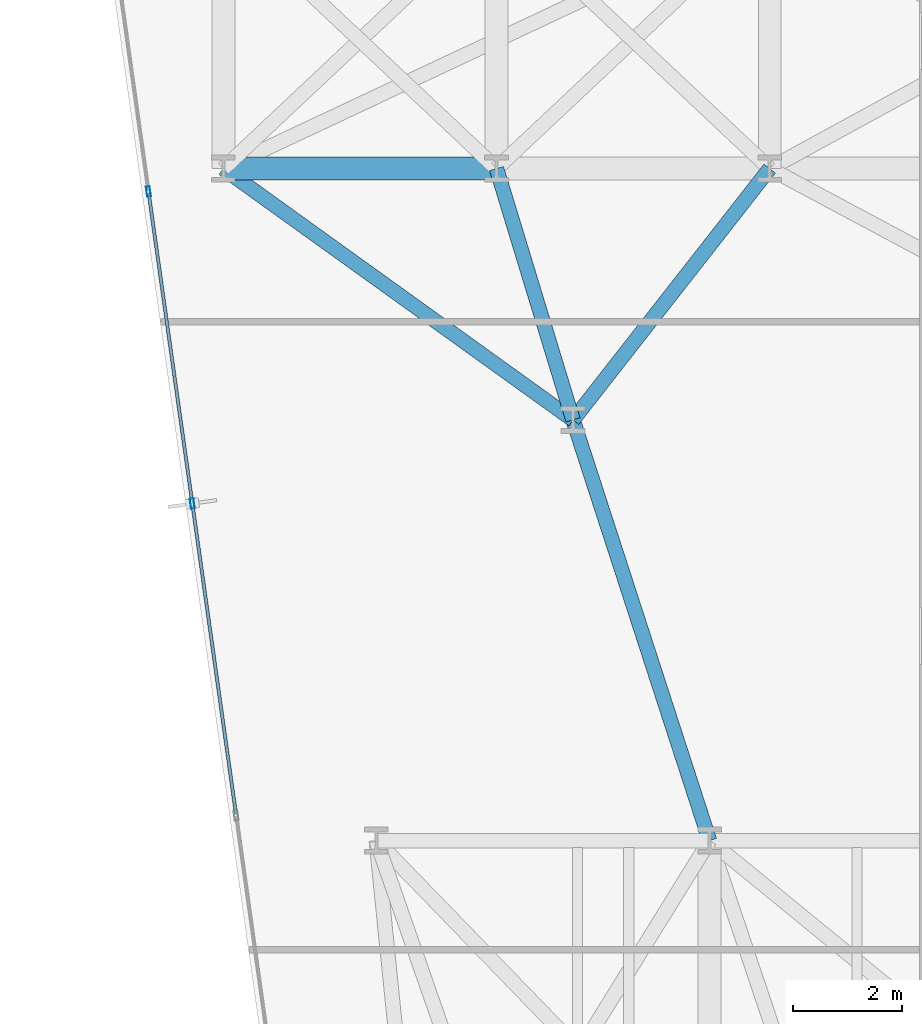
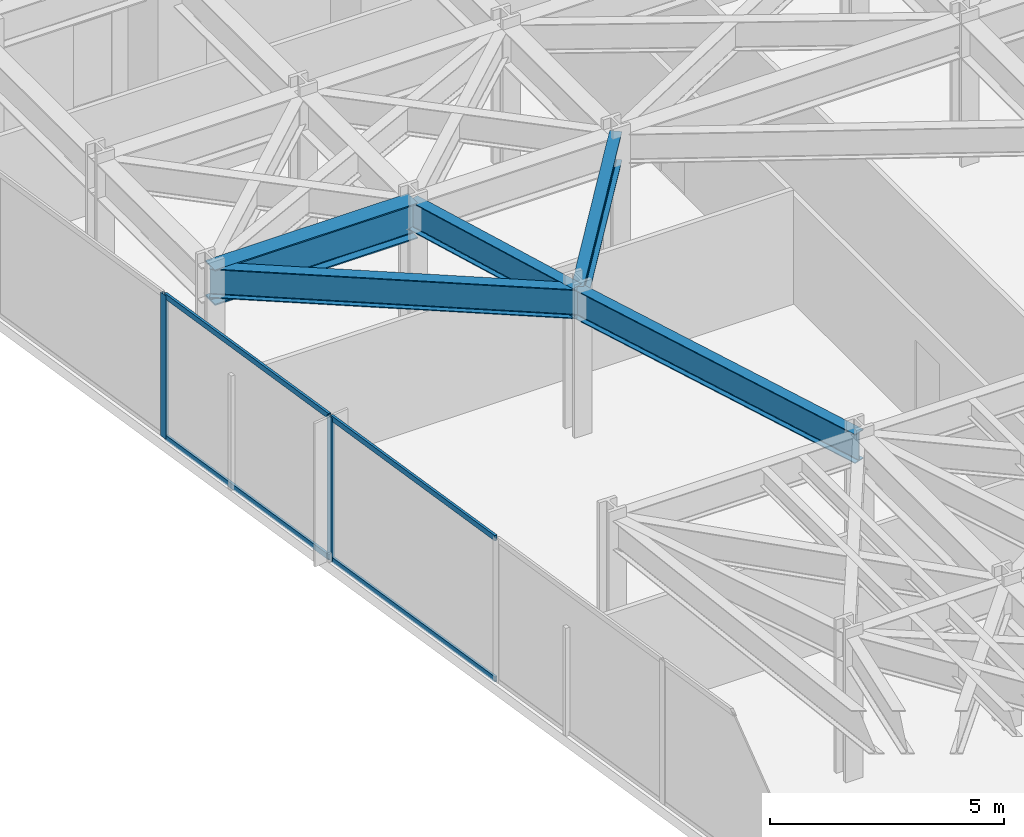
# One storey, part 7 of 25: 6 members, 5 beams, 1 element without a shape of its own.
"""IFC4 building model written with IfcOpenShell, lengths in metres."""

import ifcopenshell
import ifcopenshell.guid

model = None  # the IFC model being written
_history = None  # IfcOwnerHistory: only IFC2X3 demands one
_inside = {}  # id of a spatial element -> (the spatial element, [elements in it])
_under = {}  # id of a project, library or spatial element -> (it, [spatial elements below it])
_declared = {}  # id of a project -> (the project, [libraries it declares])
_typed = {}  # id of a type object -> (the type object, [elements of that type])
_made_of = {}  # id of a material, layer set ... -> (it, [elements and type objects made of it])


def new_model(schema):
    """Start an empty IFC model of exactly this schema.

    Asked for "IFC4X3", IfcOpenShell would pick the latest addendum, in which some entities
    have other attributes; the version numbers below select the first issue.
    IFC2X3 requires an IfcOwnerHistory on every rooted entity: one is made here for all.
    """
    global model, _history
    if schema == "IFC4X3":
        model = ifcopenshell.file(schema_version=(4, 3, 0, 0))
    else:
        model = ifcopenshell.file(schema=schema)
    _inside.clear()
    _under.clear()
    _declared.clear()
    _typed.clear()
    _made_of.clear()
    _history = None
    if model.schema == "IFC2X3":
        org = make("IfcOrganization", Name="unknown")
        user = make(
            "IfcPersonAndOrganization",
            ThePerson=make("IfcPerson", FamilyName="unknown"),
            TheOrganization=org,
        )
        app = make(
            "IfcApplication",
            ApplicationDeveloper=org,
            Version="unknown",
            ApplicationFullName="unknown",
            ApplicationIdentifier="unknown",
        )
        _history = make(
            "IfcOwnerHistory",
            OwningUser=user,
            OwningApplication=app,
            ChangeAction="ADDED",
            CreationDate=0,
        )
    return model


def make(cls, **values):
    """One entity of the class cls with the attributes given. An attribute that is None is left unset."""
    return model.create_entity(
        cls, **{name: value for name, value in values.items() if value is not None}
    )


def rooted(cls, **values):
    """An entity with a GlobalId (a new one), such as an element, a storey or a relation."""
    return make(cls, GlobalId=ifcopenshell.guid.new(), OwnerHistory=_history, **values)


def si_unit(unit_type, name, prefix=None):
    """IfcSIUnit, for example si_unit("LENGTHUNIT", "METRE", prefix="MILLI")."""
    return make("IfcSIUnit", UnitType=unit_type, Prefix=prefix, Name=name)


def assignment(units):
    """IfcUnitAssignment: the units of a project."""
    return None if units is None else make("IfcUnitAssignment", Units=units)


def point(xyz):
    """IfcCartesianPoint."""
    return None if xyz is None else make("IfcCartesianPoint", Coordinates=xyz)


def direction(xyz):
    """IfcDirection."""
    return None if xyz is None else make("IfcDirection", DirectionRatios=xyz)


def frame(location, z_axis=None, x_axis=None):
    """IfcAxis2Placement3D, a coordinate frame: its origin and axes. An axis left out is left unset."""
    return make(
        "IfcAxis2Placement3D",
        Location=point(location),
        Axis=direction(z_axis),
        RefDirection=direction(x_axis),
    )


def frame_2d(location, x_axis=None):
    """IfcAxis2Placement2D, a coordinate frame in the plane: its origin and x axis."""
    return make(
        "IfcAxis2Placement2D", Location=point(location), RefDirection=direction(x_axis)
    )


def origin():
    """The frame at (0, 0, 0) with its axes left unset."""
    return frame((0.0, 0.0, 0.0))


def origin_2d():
    """The frame at (0, 0) in the plane with its x axis left unset."""
    return frame_2d((0.0, 0.0))


def place(relative_to, where):
    """IfcLocalPlacement: puts the frame where relative to a parent placement (None: the world)."""
    return make(
        "IfcLocalPlacement", PlacementRelTo=relative_to, RelativePlacement=where
    )


def context(
    kind, dimensions, precision=None, world=None, true_north=None, identifier=None
):
    """IfcGeometricRepresentationContext, for example the 3D "Model" context."""
    return make(
        "IfcGeometricRepresentationContext",
        ContextIdentifier=identifier,
        ContextType=kind,
        CoordinateSpaceDimension=dimensions,
        Precision=precision,
        WorldCoordinateSystem=world,
        TrueNorth=true_north,
    )


def subcontext(parent, identifier, kind, view, scale=None):
    """IfcGeometricRepresentationSubContext, for example "Body" below "Model"."""
    return make(
        "IfcGeometricRepresentationSubContext",
        ContextIdentifier=identifier,
        ContextType=kind,
        ParentContext=parent,
        TargetScale=scale,
        TargetView=view,
    )


def project(units=None, contexts=None):
    """IfcProject with its units and contexts."""
    return rooted(
        "IfcProject",
        Name="project",
        RepresentationContexts=contexts,
        UnitsInContext=assignment(units),
    )


def spatial(cls, under=None, at=None, **own):
    """A site, building, storey or space (cls), placed at a placement, below another one or the project."""
    s = rooted(cls, ObjectPlacement=at, **own)
    if under is not None:
        _under.setdefault(under.id(), (under, []))[1].append(s)
    return s


def profile(cls, at=None, kind="AREA", **sizes):
    """A parametric profile (cls). Its sizes go by their IFC names, for example OverallWidth=200.0."""
    return make(cls, ProfileType=kind, Position=at, **sizes)


def hollow_rectangle(**sizes):
    """IfcRectangleHollowProfileDef."""
    return profile("IfcRectangleHollowProfileDef", **sizes)


def i_section(**sizes):
    """IfcIShapeProfileDef."""
    return profile("IfcIShapeProfileDef", **sizes)


def extrude(swept, where, along, depth):
    """IfcExtrudedAreaSolid: the profile swept, set in the frame where, extruded along a direction by depth."""
    return make(
        "IfcExtrudedAreaSolid",
        SweptArea=swept,
        Position=where,
        ExtrudedDirection=direction(along),
        Depth=depth,
    )


def shape(context_of_items, identifier, shape_type, items):
    """IfcShapeRepresentation: the items that make up one representation, for example the "Body"."""
    return make(
        "IfcShapeRepresentation",
        ContextOfItems=context_of_items,
        RepresentationIdentifier=identifier,
        RepresentationType=shape_type,
        Items=items,
    )


def material(Name=None, Category=None):
    """IfcMaterial."""
    return make("IfcMaterial", Name=Name, Category=Category)


def layer(
    of_material, thickness, ventilated=None, Name=None, Category=None, Priority=None
):
    """IfcMaterialLayer: one layer of a wall or slab, of a material (None: an air gap)."""
    return make(
        "IfcMaterialLayer",
        Material=of_material,
        LayerThickness=thickness,
        IsVentilated=ventilated,
        Name=Name,
        Category=Category,
        Priority=Priority,
    )


def layer_set(layers, Name=None):
    """IfcMaterialLayerSet."""
    return make("IfcMaterialLayerSet", MaterialLayers=layers, LayerSetName=Name)


def material_profile(
    of_material, cross_section, Name=None, Category=None, Priority=None
):
    """IfcMaterialProfile: a cross section and its material."""
    return make(
        "IfcMaterialProfile",
        Name=Name,
        Material=of_material,
        Profile=cross_section,
        Priority=Priority,
        Category=Category,
    )


def profile_set(profiles, Name=None, composite=None):
    """IfcMaterialProfileSet."""
    return make(
        "IfcMaterialProfileSet",
        Name=Name,
        MaterialProfiles=profiles,
        CompositeProfile=composite,
    )


def made_of(thing, what):
    """Note that an element or type object is made of a material, layer set ...; save() writes the relation."""
    if what is not None:
        _made_of.setdefault(what.id(), (what, []))[1].append(thing)
    return thing


def type_object(cls, material=None, **own):
    """A type object (cls), such as IfcWallType, which elements share."""
    return made_of(rooted(cls, **own), material)


def element(
    cls,
    number,
    at=None,
    inside=None,
    cuts=None,
    type_object=None,
    material=None,
    context=None,
    identifier="Body",
    shape_type=None,
    held_by="IfcProductDefinitionShape",
    body=None,
    shapes=None,
    **own,
):
    """One element of the class cls, such as IfcWall. Its Tag is "e" and its number.

    at: its placement. inside: the storey or other place that contains it. cuts: it is an
    opening in that element (IfcRelVoidsElement). A single representation is given by context,
    identifier, shape_type and body (its items); several are given by shapes. held_by: the class
    of the entity that holds the representations. save() writes the other relations.
    """
    e = rooted(cls, Tag="e%d" % number, ObjectPlacement=at, **own)
    if body is not None:
        shapes = [shape(context, identifier, shape_type, body)]
    if shapes is not None:
        e.Representation = make(held_by, Representations=shapes)
    if inside is not None:
        _inside.setdefault(inside.id(), (inside, []))[1].append(e)
    if cuts is not None:
        rooted(
            "IfcRelVoidsElement", RelatingBuildingElement=cuts, RelatedOpeningElement=e
        )
    if type_object is not None:
        _typed.setdefault(type_object.id(), (type_object, []))[1].append(e)
    return made_of(e, material)


def aggregate(whole, parts):
    """IfcRelAggregates: a whole, such as a stair, and the parts it consists of."""
    return rooted("IfcRelAggregates", RelatingObject=whole, RelatedObjects=parts)


def save(model, path):
    """Write the relations noted so far, then the file.

    IfcRelAggregates (storeys below a building ...), IfcRelContainedInSpatialStructure (elements
    in a storey), IfcRelDefinesByType, IfcRelAssociatesMaterial and IfcRelDeclares: one each for
    every whole, place, type object, material and project.
    """
    for whole, parts in _under.values():
        aggregate(whole, parts)
    for where, things in _inside.values():
        rooted(
            "IfcRelContainedInSpatialStructure",
            RelatedElements=things,
            RelatingStructure=where,
        )
    for kind, things in _typed.values():
        rooted("IfcRelDefinesByType", RelatedObjects=things, RelatingType=kind)
    for what, things in _made_of.values():
        rooted("IfcRelAssociatesMaterial", RelatedObjects=things, RelatingMaterial=what)
    for by, libraries in _declared.values():
        rooted("IfcRelDeclares", RelatingContext=by, RelatedDefinitions=libraries)
    model.write(path)


model = new_model("IFC4")

# Units and contexts
model_context = context("Model", 3, precision=1e-05, world=origin(), true_north=direction((0.0, 1.0)))
body_context = subcontext(model_context, "Body", "Model", "MODEL_VIEW")
ifc_project = project(units=[si_unit("LENGTHUNIT", "METRE"), si_unit("AREAUNIT", "SQUARE_METRE"), si_unit("VOLUMEUNIT", "CUBIC_METRE"), si_unit("PLANEANGLEUNIT", "RADIAN"), si_unit("MASSUNIT", "GRAM", prefix="KILO")], contexts=[model_context])

# Site, building, storey
site_placement = place(None, origin())
site = spatial("IfcSite", under=ifc_project, at=site_placement, CompositionType="ELEMENT")
building_placement = place(site_placement, origin())
building = spatial("IfcBuilding", under=site, at=building_placement, Name="Kravanh Interchange Tower", CompositionType="ELEMENT")
storey_placement = place(building_placement, frame((0.0, 0.0, 73.5)))
storey = spatial("IfcBuildingStorey", under=building, at=storey_placement, Name="L17", CompositionType="ELEMENT", Elevation=73.5)

# Curtain wall, members
ifc_material_1 = material(Name="Anodised Bronze Aluminium", Category="aluminium")
ifc_layer = layer(ifc_material_1, 0.179931640625)
ifc_layer_set = layer_set([ifc_layer], Name="Unitised Curtain Wall System CW-Z1 Lower Office")
curtain_wall_type = type_object("IfcCurtainWallType", Name="Unitised Curtain Wall System CW-Z1 Lower Office", PredefinedType="NOTDEFINED", material=ifc_layer_set)
curtain_wall_placement = place(storey_placement, origin())
curtain_wall = element("IfcCurtainWall", 1, at=curtain_wall_placement, inside=storey, type_object=curtain_wall_type, Name="L17 Unitised Curtain Wall CW-L17-01", PredefinedType="NOTDEFINED")
ifc_material_2 = material(Name="Anodised Bronze Aluminium", Category="aluminium")
ifc_material_profile_1 = material_profile(ifc_material_2, hollow_rectangle(XDim=0.070068359375, YDim=0.179931640625, WallThickness=0.00390625, at=origin_2d()), Name="ALU70X180X4")
ifc_profile_set_1 = profile_set([ifc_material_profile_1], Name="Anodised Bronze Aluminium")
member_type_1 = type_object("IfcMemberType", Name="Curtain Wall Mullion ALU70X180X4 Bronze", PredefinedType="MULLION", material=ifc_profile_set_1)
member_1_placement = place(storey_placement, frame((8.03271484375, 20.66845703125, 0.0), z_axis=(0.0, 0.0, 1.0), x_axis=(-0.990267585682, -0.139176538065, 0.0)))
member_1 = element("IfcMember", 2, at=member_1_placement, type_object=member_type_1, Name="CW-Z1 mullion 4", PredefinedType="MULLION", context=body_context, shape_type="SweptSolid", body=[
    extrude(hollow_rectangle(XDim=0.070068359375, YDim=0.179931640625, WallThickness=0.00390625, at=origin_2d()), origin(), (0.0, 0.0, 1.0), 3.739990234375),
])
member_2_placement = place(storey_placement, frame((7.22998046875, 26.37890625, 0.0), z_axis=(0.0, 0.0, 1.0), x_axis=(-0.990267585682, -0.139176538065, 0.0)))
member_2 = element("IfcMember", 3, at=member_2_placement, type_object=member_type_1, Name="CW-Z1 mullion 5", PredefinedType="MULLION", context=body_context, shape_type="SweptSolid", body=[
    extrude(hollow_rectangle(XDim=0.070068359375, YDim=0.179931640625, WallThickness=0.00390625, at=origin_2d()), origin(), (0.0, 0.0, 1.0), 3.739990234375),
])
ifc_material_3 = material(Name="Anodised Bronze Aluminium", Category="aluminium")
ifc_material_profile_2 = material_profile(ifc_material_3, hollow_rectangle(XDim=0.06005859375, YDim=0.139892578125, WallThickness=0.00390625, at=origin_2d()), Name="ALU60X140X4")
ifc_profile_set_2 = profile_set([ifc_material_profile_2], Name="Anodised Bronze Aluminium")
member_type_2 = type_object("IfcMemberType", Name="Curtain Wall Transom ALU60X140X4 Bronze", PredefinedType="USERDEFINED", material=ifc_profile_set_2)
member_3_placement = place(storey_placement, frame((8.830322265625, 14.992431640625, 0.030029296875), z_axis=(-0.139153051789, 0.990270886262, 0.0), x_axis=(-0.990270886262, -0.139153051789, 0.0)))
member_3 = element("IfcMember", 4, at=member_3_placement, type_object=member_type_2, Name="CW-Z1 transom 3.1", ObjectType="TRANSOM", PredefinedType="USERDEFINED", context=body_context, shape_type="SweptSolid", body=[
    extrude(hollow_rectangle(XDim=0.06005859375, YDim=0.139892578125, WallThickness=0.00390625, at=origin_2d()), origin(), (0.0, 0.0, 1.0), 5.69677734375),
])
member_4_placement = place(storey_placement, frame((8.830322265625, 14.992431640625, 3.7099609375), z_axis=(-0.139153051789, 0.990270886262, 0.0), x_axis=(-0.990270886262, -0.139153051789, 0.0)))
member_4 = element("IfcMember", 5, at=member_4_placement, type_object=member_type_2, Name="CW-Z1 transom 3.2", ObjectType="TRANSOM", PredefinedType="USERDEFINED", context=body_context, shape_type="SweptSolid", body=[
    extrude(hollow_rectangle(XDim=0.06005859375, YDim=0.139892578125, WallThickness=0.00390625, at=origin_2d()), origin(), (0.0, 0.0, 1.0), 5.69677734375),
])
member_5_placement = place(storey_placement, frame((8.02783203125, 20.703125, 0.030029296875), z_axis=(-0.139200984921, 0.990264149506, 0.0), x_axis=(-0.990264149506, -0.139200984921, 0.0)))
member_5 = element("IfcMember", 6, at=member_5_placement, type_object=member_type_2, Name="CW-Z1 transom 4.1", ObjectType="TRANSOM", PredefinedType="USERDEFINED", context=body_context, shape_type="SweptSolid", body=[
    extrude(hollow_rectangle(XDim=0.06005859375, YDim=0.139892578125, WallThickness=0.00390625, at=origin_2d()), origin(), (0.0, 0.0, 1.0), 5.696533203125),
])
member_6_placement = place(storey_placement, frame((8.02783203125, 20.703125, 3.7099609375), z_axis=(-0.139200984921, 0.990264149506, 0.0), x_axis=(-0.990264149506, -0.139200984921, 0.0)))
member_6 = element("IfcMember", 7, at=member_6_placement, type_object=member_type_2, Name="CW-Z1 transom 4.2", ObjectType="TRANSOM", PredefinedType="USERDEFINED", context=body_context, shape_type="SweptSolid", body=[
    extrude(hollow_rectangle(XDim=0.06005859375, YDim=0.139892578125, WallThickness=0.00390625, at=origin_2d()), origin(), (0.0, 0.0, 1.0), 5.696533203125),
])
aggregate(curtain_wall, [member_1, member_2, member_3, member_4, member_5, member_6])

# Beams
ifc_material_4 = material(Name="Structural Steel S355", Category="steel")
ifc_material_profile_3 = material_profile(ifc_material_4, i_section(OverallWidth=0.41796875, OverallDepth=0.927001953125, WebThickness=0.019287109375, FlangeThickness=0.031982421875, FilletRadius=0.028076171875, at=origin_2d()), Name="W36X231")
ifc_profile_set_3 = profile_set([ifc_material_profile_3], Name="Structural Steel S355")
beam_type_1 = type_object("IfcBeamType", Name="Floor Beam W36X231 Structural Steel S355", PredefinedType="BEAM", material=ifc_profile_set_3)
beam_1_placement = place(storey_placement, frame((8.60009765625, 26.800048828125, 3.276611328125), z_axis=(1.0, 0.0, 0.0), x_axis=(0.0, 1.0, 0.0)))
element("IfcBeam", 8, at=beam_1_placement, inside=storey, type_object=beam_type_1, Name="L17 Primary Floor Girder 67", PredefinedType="BEAM", context=body_context, shape_type="SweptSolid", body=[
    extrude(i_section(OverallWidth=0.41796875, OverallDepth=0.927001953125, WebThickness=0.019287109375, FlangeThickness=0.031982421875, FilletRadius=0.028076171875, at=origin_2d()), origin(), (0.0, 0.0, 1.0), 5.0),
])
ifc_material_5 = material(Name="Structural Steel S355", Category="steel")
ifc_material_profile_4 = material_profile(ifc_material_5, i_section(OverallWidth=0.26708984375, OverallDepth=0.761962890625, WebThickness=0.014404296875, FlangeThickness=0.021484375, FilletRadius=0.02490234375, at=origin_2d()), Name="W30X116")
ifc_profile_set_4 = profile_set([ifc_material_profile_4], Name="Structural Steel S355")
beam_type_2 = type_object("IfcBeamType", Name="Floor Spandrel W30X116 Structural Steel S355", PredefinedType="SPANDREL", material=ifc_profile_set_4)
beam_2_placement = place(storey_placement, frame((15.0, 22.199951171875, 3.35888671875), z_axis=(-0.291137370727, 0.956681259023, 0.0), x_axis=(-0.956681259023, -0.291137370727, 0.0)))
element("IfcBeam", 9, at=beam_2_placement, inside=storey, type_object=beam_type_2, Name="L17 Perimeter Spandrel 50", PredefinedType="SPANDREL", context=body_context, shape_type="SweptSolid", body=[
    extrude(i_section(OverallWidth=0.26708984375, OverallDepth=0.761962890625, WebThickness=0.014404296875, FlangeThickness=0.021484375, FilletRadius=0.02490234375, at=origin_2d()), origin(), (0.0, 0.0, 1.0), 4.808349609375),
])
beam_3_placement = place(storey_placement, frame((15.0, 22.199951171875, 3.35888671875), z_axis=(0.616310515553, 0.787503237085, 0.0), x_axis=(-0.787503237085, 0.616310515553, 0.0)))
element("IfcBeam", 10, at=beam_3_placement, inside=storey, type_object=beam_type_2, Name="L17 Perimeter Spandrel 51", PredefinedType="SPANDREL", context=body_context, shape_type="SweptSolid", body=[
    extrude(i_section(OverallWidth=0.26708984375, OverallDepth=0.761962890625, WebThickness=0.014404296875, FlangeThickness=0.021484375, FilletRadius=0.02490234375, at=origin_2d()), origin(), (0.0, 0.0, 1.0), 5.84130859375),
])
beam_4_placement = place(storey_placement, frame((15.0, 22.199951171875, 3.35888671875), z_axis=(-0.812005278585, 0.583650089994, 0.0), x_axis=(-0.583650089994, -0.812005278585, 0.0)))
element("IfcBeam", 11, at=beam_4_placement, inside=storey, type_object=beam_type_2, Name="L17 Perimeter Spandrel 52", PredefinedType="SPANDREL", context=body_context, shape_type="SweptSolid", body=[
    extrude(i_section(OverallWidth=0.26708984375, OverallDepth=0.761962890625, WebThickness=0.014404296875, FlangeThickness=0.021484375, FilletRadius=0.02490234375, at=origin_2d()), origin(), (0.0, 0.0, 1.0), 7.881591796875),
])
beam_5_placement = place(storey_placement, frame((15.0, 22.199951171875, 3.35888671875), z_axis=(0.30880852537, -0.951124226723, 0.0), x_axis=(0.951124226723, 0.30880852537, 0.0)))
element("IfcBeam", 12, at=beam_5_placement, inside=storey, type_object=beam_type_2, Name="L17 Perimeter Spandrel 53", PredefinedType="SPANDREL", context=body_context, shape_type="SweptSolid", body=[
    extrude(i_section(OverallWidth=0.26708984375, OverallDepth=0.761962890625, WebThickness=0.014404296875, FlangeThickness=0.021484375, FilletRadius=0.02490234375, at=origin_2d()), origin(), (0.0, 0.0, 1.0), 8.095703125),
])

save(model, "model.ifc")
